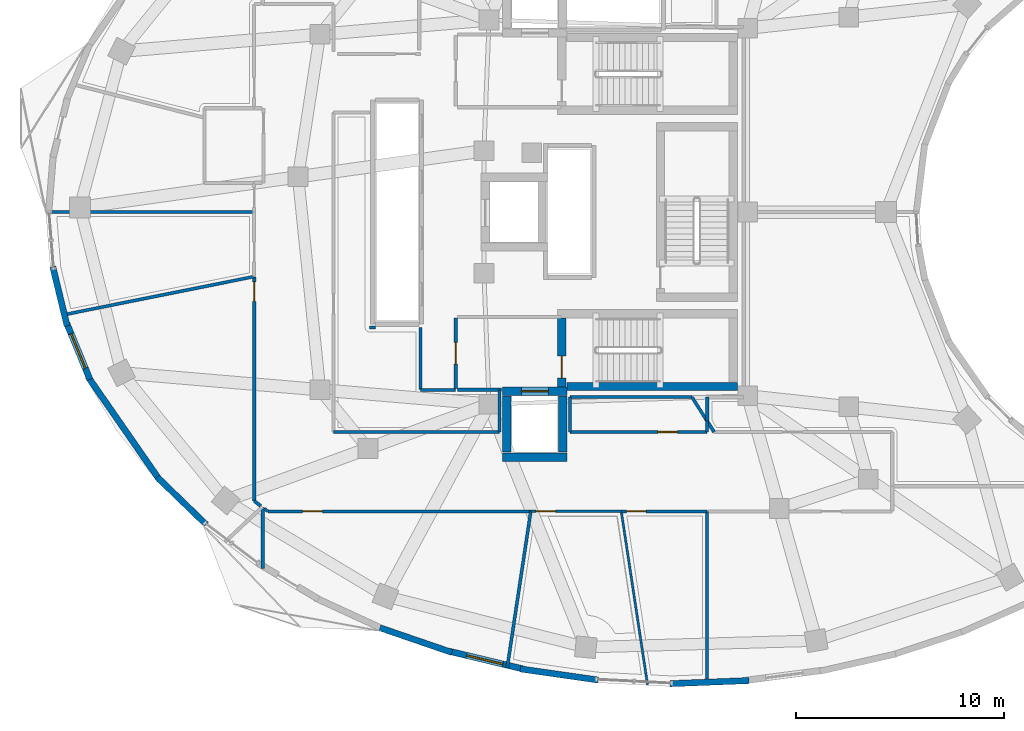
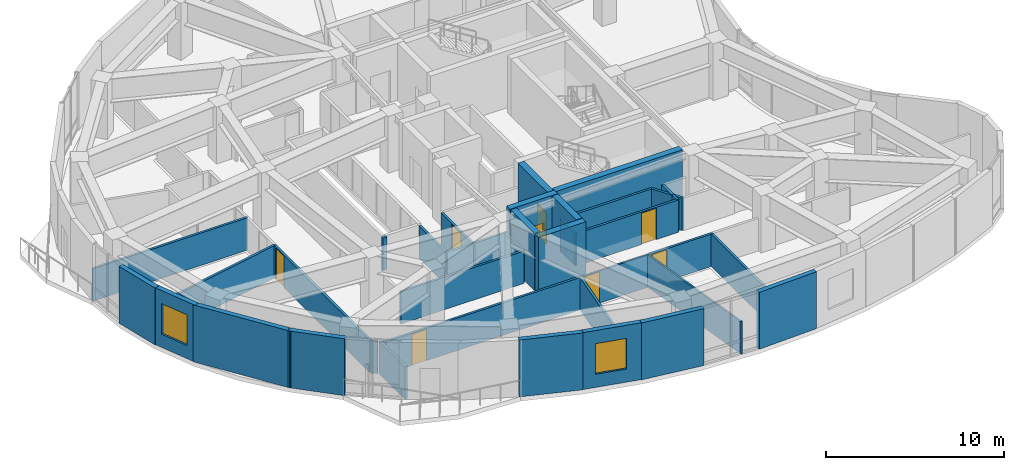
# One storey, part 8 of 14: 40 walls, 8 doors, 2 windows, 10 openings.
"""IFC4 building model written with IfcOpenShell, lengths in metres."""

import ifcopenshell
import ifcopenshell.guid

model = None  # the IFC model being written
_history = None  # IfcOwnerHistory: only IFC2X3 demands one
_inside = {}  # id of a spatial element -> (the spatial element, [elements in it])
_under = {}  # id of a project, library or spatial element -> (it, [spatial elements below it])
_declared = {}  # id of a project -> (the project, [libraries it declares])
_typed = {}  # id of a type object -> (the type object, [elements of that type])
_made_of = {}  # id of a material, layer set ... -> (it, [elements and type objects made of it])


def new_model(schema):
    """Start an empty IFC model of exactly this schema.

    Asked for "IFC4X3", IfcOpenShell would pick the latest addendum, in which some entities
    have other attributes; the version numbers below select the first issue.
    IFC2X3 requires an IfcOwnerHistory on every rooted entity: one is made here for all.
    """
    global model, _history
    if schema == "IFC4X3":
        model = ifcopenshell.file(schema_version=(4, 3, 0, 0))
    else:
        model = ifcopenshell.file(schema=schema)
    _inside.clear()
    _under.clear()
    _declared.clear()
    _typed.clear()
    _made_of.clear()
    _history = None
    if model.schema == "IFC2X3":
        org = make("IfcOrganization", Name="unknown")
        user = make(
            "IfcPersonAndOrganization",
            ThePerson=make("IfcPerson", FamilyName="unknown"),
            TheOrganization=org,
        )
        app = make(
            "IfcApplication",
            ApplicationDeveloper=org,
            Version="unknown",
            ApplicationFullName="unknown",
            ApplicationIdentifier="unknown",
        )
        _history = make(
            "IfcOwnerHistory",
            OwningUser=user,
            OwningApplication=app,
            ChangeAction="ADDED",
            CreationDate=0,
        )
    return model


def make(cls, **values):
    """One entity of the class cls with the attributes given. An attribute that is None is left unset."""
    return model.create_entity(
        cls, **{name: value for name, value in values.items() if value is not None}
    )


def rooted(cls, **values):
    """An entity with a GlobalId (a new one), such as an element, a storey or a relation."""
    return make(cls, GlobalId=ifcopenshell.guid.new(), OwnerHistory=_history, **values)


def si_unit(unit_type, name, prefix=None):
    """IfcSIUnit, for example si_unit("LENGTHUNIT", "METRE", prefix="MILLI")."""
    return make("IfcSIUnit", UnitType=unit_type, Prefix=prefix, Name=name)


def assignment(units):
    """IfcUnitAssignment: the units of a project."""
    return None if units is None else make("IfcUnitAssignment", Units=units)


def point(xyz):
    """IfcCartesianPoint."""
    return None if xyz is None else make("IfcCartesianPoint", Coordinates=xyz)


def direction(xyz):
    """IfcDirection."""
    return None if xyz is None else make("IfcDirection", DirectionRatios=xyz)


def frame(location, z_axis=None, x_axis=None):
    """IfcAxis2Placement3D, a coordinate frame: its origin and axes. An axis left out is left unset."""
    return make(
        "IfcAxis2Placement3D",
        Location=point(location),
        Axis=direction(z_axis),
        RefDirection=direction(x_axis),
    )


def frame_2d(location, x_axis=None):
    """IfcAxis2Placement2D, a coordinate frame in the plane: its origin and x axis."""
    return make(
        "IfcAxis2Placement2D", Location=point(location), RefDirection=direction(x_axis)
    )


def origin():
    """The frame at (0, 0, 0) with its axes left unset."""
    return frame((0.0, 0.0, 0.0))


def place(relative_to, where):
    """IfcLocalPlacement: puts the frame where relative to a parent placement (None: the world)."""
    return make(
        "IfcLocalPlacement", PlacementRelTo=relative_to, RelativePlacement=where
    )


def context(
    kind, dimensions, precision=None, world=None, true_north=None, identifier=None
):
    """IfcGeometricRepresentationContext, for example the 3D "Model" context."""
    return make(
        "IfcGeometricRepresentationContext",
        ContextIdentifier=identifier,
        ContextType=kind,
        CoordinateSpaceDimension=dimensions,
        Precision=precision,
        WorldCoordinateSystem=world,
        TrueNorth=true_north,
    )


def subcontext(parent, identifier, kind, view, scale=None):
    """IfcGeometricRepresentationSubContext, for example "Body" below "Model"."""
    return make(
        "IfcGeometricRepresentationSubContext",
        ContextIdentifier=identifier,
        ContextType=kind,
        ParentContext=parent,
        TargetScale=scale,
        TargetView=view,
    )


def project(units=None, contexts=None):
    """IfcProject with its units and contexts."""
    return rooted(
        "IfcProject",
        Name="project",
        RepresentationContexts=contexts,
        UnitsInContext=assignment(units),
    )


def spatial(cls, under=None, at=None, **own):
    """A site, building, storey or space (cls), placed at a placement, below another one or the project."""
    s = rooted(cls, ObjectPlacement=at, **own)
    if under is not None:
        _under.setdefault(under.id(), (under, []))[1].append(s)
    return s


def profile(cls, at=None, kind="AREA", **sizes):
    """A parametric profile (cls). Its sizes go by their IFC names, for example OverallWidth=200.0."""
    return make(cls, ProfileType=kind, Position=at, **sizes)


def rectangle(**sizes):
    """IfcRectangleProfileDef."""
    return profile("IfcRectangleProfileDef", **sizes)


def extrude(swept, where, along, depth):
    """IfcExtrudedAreaSolid: the profile swept, set in the frame where, extruded along a direction by depth."""
    return make(
        "IfcExtrudedAreaSolid",
        SweptArea=swept,
        Position=where,
        ExtrudedDirection=direction(along),
        Depth=depth,
    )


def shape(context_of_items, identifier, shape_type, items):
    """IfcShapeRepresentation: the items that make up one representation, for example the "Body"."""
    return make(
        "IfcShapeRepresentation",
        ContextOfItems=context_of_items,
        RepresentationIdentifier=identifier,
        RepresentationType=shape_type,
        Items=items,
    )


def material(Name=None, Category=None):
    """IfcMaterial."""
    return make("IfcMaterial", Name=Name, Category=Category)


def layer(
    of_material, thickness, ventilated=None, Name=None, Category=None, Priority=None
):
    """IfcMaterialLayer: one layer of a wall or slab, of a material (None: an air gap)."""
    return make(
        "IfcMaterialLayer",
        Material=of_material,
        LayerThickness=thickness,
        IsVentilated=ventilated,
        Name=Name,
        Category=Category,
        Priority=Priority,
    )


def layer_set(layers, Name=None):
    """IfcMaterialLayerSet."""
    return make("IfcMaterialLayerSet", MaterialLayers=layers, LayerSetName=Name)


def made_of(thing, what):
    """Note that an element or type object is made of a material, layer set ...; save() writes the relation."""
    if what is not None:
        _made_of.setdefault(what.id(), (what, []))[1].append(thing)
    return thing


def type_object(cls, material=None, **own):
    """A type object (cls), such as IfcWallType, which elements share."""
    return made_of(rooted(cls, **own), material)


def element(
    cls,
    number,
    at=None,
    inside=None,
    cuts=None,
    type_object=None,
    material=None,
    context=None,
    identifier="Body",
    shape_type=None,
    held_by="IfcProductDefinitionShape",
    body=None,
    shapes=None,
    **own,
):
    """One element of the class cls, such as IfcWall. Its Tag is "e" and its number.

    at: its placement. inside: the storey or other place that contains it. cuts: it is an
    opening in that element (IfcRelVoidsElement). A single representation is given by context,
    identifier, shape_type and body (its items); several are given by shapes. held_by: the class
    of the entity that holds the representations. save() writes the other relations.
    """
    e = rooted(cls, Tag="e%d" % number, ObjectPlacement=at, **own)
    if body is not None:
        shapes = [shape(context, identifier, shape_type, body)]
    if shapes is not None:
        e.Representation = make(held_by, Representations=shapes)
    if inside is not None:
        _inside.setdefault(inside.id(), (inside, []))[1].append(e)
    if cuts is not None:
        rooted(
            "IfcRelVoidsElement", RelatingBuildingElement=cuts, RelatedOpeningElement=e
        )
    if type_object is not None:
        _typed.setdefault(type_object.id(), (type_object, []))[1].append(e)
    return made_of(e, material)


def fill(opening, filler):
    """IfcRelFillsElement: the door or window that sits in an opening."""
    return rooted(
        "IfcRelFillsElement",
        RelatingOpeningElement=opening,
        RelatedBuildingElement=filler,
    )


def aggregate(whole, parts):
    """IfcRelAggregates: a whole, such as a stair, and the parts it consists of."""
    return rooted("IfcRelAggregates", RelatingObject=whole, RelatedObjects=parts)


def save(model, path):
    """Write the relations noted so far, then the file.

    IfcRelAggregates (storeys below a building ...), IfcRelContainedInSpatialStructure (elements
    in a storey), IfcRelDefinesByType, IfcRelAssociatesMaterial and IfcRelDeclares: one each for
    every whole, place, type object, material and project.
    """
    for whole, parts in _under.values():
        aggregate(whole, parts)
    for where, things in _inside.values():
        rooted(
            "IfcRelContainedInSpatialStructure",
            RelatedElements=things,
            RelatingStructure=where,
        )
    for kind, things in _typed.values():
        rooted("IfcRelDefinesByType", RelatedObjects=things, RelatingType=kind)
    for what, things in _made_of.values():
        rooted("IfcRelAssociatesMaterial", RelatedObjects=things, RelatingMaterial=what)
    for by, libraries in _declared.values():
        rooted("IfcRelDeclares", RelatingContext=by, RelatedDefinitions=libraries)
    model.write(path)


model = new_model("IFC4")

# Units and contexts
model_context = context("Model", 3, precision=1e-05, world=origin(), true_north=direction((0.0, 1.0)))
body_context = subcontext(model_context, "Body", "Model", "MODEL_VIEW")
ifc_project = project(units=[si_unit("LENGTHUNIT", "METRE"), si_unit("AREAUNIT", "SQUARE_METRE"), si_unit("VOLUMEUNIT", "CUBIC_METRE"), si_unit("PLANEANGLEUNIT", "RADIAN"), si_unit("MASSUNIT", "GRAM", prefix="KILO")], contexts=[model_context])

# Site, building, storey
site_placement = place(None, origin())
site = spatial("IfcSite", under=ifc_project, at=site_placement, CompositionType="ELEMENT")
building_placement = place(site_placement, origin())
building = spatial("IfcBuilding", under=site, at=building_placement, Name="Korentha Bioscience Tower", CompositionType="ELEMENT")
storey_placement = place(building_placement, frame((0.0, 0.0, 239.39990234375)))
storey = spatial("IfcBuildingStorey", under=building, at=storey_placement, Name="L55", CompositionType="ELEMENT", Elevation=239.39990234375)

# Wall, opening, door
ifc_material_1 = material(Name="Double-Stud Acoustic Gypsum", Category="gypsum")
ifc_layer_1 = layer(ifc_material_1, 0.14990234375, Name="Double-Stud Acoustic Gypsum")
ifc_layer_set_1 = layer_set([ifc_layer_1], Name="Double-Stud Acoustic Gypsum (IW-L150)")
wall_type_1 = type_object("IfcWallType", Name="Acoustic Laboratory Partition Wall 150", PredefinedType="PARTITIONING", material=ifc_layer_set_1)
wall_1_placement = place(storey_placement, frame((14.454345703125, 12.590087890625, 0.0), z_axis=(0.0, 0.0, 1.0), x_axis=(1.0, 0.0, 0.0)))
wall_1 = element("IfcWall", 1, at=wall_1_placement, inside=storey, type_object=wall_type_1, Name="L55 Principal Investigator Office 04 Entrance Wall", PredefinedType="PARTITIONING", context=body_context, shape_type="SweptSolid", body=[
    extrude(rectangle(XDim=12.65234375, YDim=0.14990234375, at=frame_2d((6.326171875, 0.0))), origin(), (0.0, 0.0, 1.0), 2.22021484375),
])
opening_1_placement = place(wall_1_placement, frame((1.67333984375, 0.0, 0.0)))
opening_1 = element("IfcOpeningElement", 2, at=opening_1_placement, cuts=wall_1, Name="Opening ID-10L", PredefinedType="OPENING", context=body_context, shape_type="SweptSolid", body=[
    extrude(rectangle(XDim=0.949951171875, YDim=2.14990234375, at=frame_2d((0.47509765625, 1.074951171875))), frame((0.0, 0.08984375, 0.0), z_axis=(0.0, -1.0, 0.0), x_axis=(1.0, 0.0, 0.0)), (0.0, 0.0, 1.0), 0.1796875),
])
ifc_material_2 = material(Name="Phenolic Laminate Timber Core", Category="wood")
door_type_1 = type_object("IfcDoorType", Name="Laboratory Single Leaf Door 950x2150 Left", OperationType="SINGLE_SWING_LEFT", PredefinedType="DOOR", material=ifc_material_2)
door_1_placement = place(opening_1_placement, origin())
door_1 = element("IfcDoor", 3, at=door_1_placement, inside=storey, type_object=door_type_1, Name="L55 Principal Investigator Office 04 Door", OperationType="SINGLE_SWING_LEFT", OverallHeight=2.14990234375, OverallWidth=0.949951171875, PredefinedType="DOOR", context=body_context, shape_type="SweptSolid", body=[
    extrude(rectangle(XDim=0.949951171875, YDim=2.14990234375, at=frame_2d((0.47509765625, 1.074951171875))), frame((0.0, 0.02490234375, 0.0), z_axis=(0.0, -1.0, 0.0), x_axis=(1.0, 0.0, 0.0)), (0.0, 0.0, 1.0), 0.050048828125),
])
fill(opening_1, door_1)

wall_2_placement = place(storey_placement, frame((35.597900390625, 16.409912109375, 0.0), z_axis=(0.0, 0.0, 1.0), x_axis=(-1.0, 0.0, 0.0)))
wall_2 = element("IfcWall", 4, at=wall_2_placement, inside=storey, type_object=wall_type_1, Name="L55 Scientific Writing Quiet Alcove 06 Entrance Wall", PredefinedType="PARTITIONING", context=body_context, shape_type="SweptSolid", body=[
    extrude(rectangle(XDim=6.597900390625, YDim=0.14990234375, at=frame_2d((3.298828125, 0.0))), origin(), (0.0, 0.0, 1.0), 2.22021484375),
])
opening_2_placement = place(wall_2_placement, frame((1.4267578125, 0.0, 0.0)))
opening_2 = element("IfcOpeningElement", 5, at=opening_2_placement, cuts=wall_2, Name="Opening ID-10L", PredefinedType="OPENING", context=body_context, shape_type="SweptSolid", body=[
    extrude(rectangle(XDim=0.949951171875, YDim=2.14990234375, at=frame_2d((0.47509765625, 1.074951171875))), frame((0.0, 0.08984375, 0.0), z_axis=(0.0, -1.0, 0.0), x_axis=(1.0, 0.0, 0.0)), (0.0, 0.0, 1.0), 0.1796875),
])
door_2_placement = place(opening_2_placement, origin())
door_2 = element("IfcDoor", 6, at=door_2_placement, inside=storey, type_object=door_type_1, Name="L55 Scientific Writing Quiet Alcove 06 Door", OperationType="SINGLE_SWING_LEFT", OverallHeight=2.14990234375, OverallWidth=0.949951171875, PredefinedType="DOOR", context=body_context, shape_type="SweptSolid", body=[
    extrude(rectangle(XDim=0.949951171875, YDim=2.14990234375, at=frame_2d((0.47509765625, 1.074951171875))), frame((0.0, 0.02490234375, 0.0), z_axis=(0.0, -1.0, 0.0), x_axis=(1.0, 0.0, 0.0)), (0.0, 0.0, 1.0), 0.050048828125),
])
fill(opening_2, door_2)

wall_3_placement = place(storey_placement, frame((31.473388671875, 12.590087890625, 0.0), z_axis=(0.0, 0.0, 1.0), x_axis=(1.0, 0.0, 0.0)))
wall_3 = element("IfcWall", 7, at=wall_3_placement, inside=storey, type_object=wall_type_1, Name="L55 Bioinformatics Data Collaboration Hub 07 Entrance Wall", PredefinedType="PARTITIONING", context=body_context, shape_type="SweptSolid", body=[
    extrude(rectangle(XDim=4.12451171875, YDim=0.14990234375, at=frame_2d((2.062255859375, 0.0))), origin(), (0.0, 0.0, 1.0), 2.22021484375),
])
opening_3_placement = place(wall_3_placement, frame((0.239990234375, 0.0, 0.0)))
opening_3 = element("IfcOpeningElement", 8, at=opening_3_placement, cuts=wall_3, Name="Opening ID-10R", PredefinedType="OPENING", context=body_context, shape_type="SweptSolid", body=[
    extrude(rectangle(XDim=0.949951171875, YDim=2.14990234375, at=frame_2d((0.47509765625, 1.074951171875))), frame((0.0, 0.08984375, 0.0), z_axis=(0.0, -1.0, 0.0), x_axis=(1.0, 0.0, 0.0)), (0.0, 0.0, 1.0), 0.1796875),
])
door_type_2 = type_object("IfcDoorType", Name="Laboratory Single Leaf Door 950x2150 Right", OperationType="SINGLE_SWING_RIGHT", PredefinedType="DOOR", material=ifc_material_2)
door_3_placement = place(opening_3_placement, origin())
door_3 = element("IfcDoor", 9, at=door_3_placement, inside=storey, type_object=door_type_2, Name="L55 Bioinformatics Data Collaboration Hub 07 Door", OperationType="SINGLE_SWING_RIGHT", OverallHeight=2.14990234375, OverallWidth=0.949951171875, PredefinedType="DOOR", context=body_context, shape_type="SweptSolid", body=[
    extrude(rectangle(XDim=0.949951171875, YDim=2.14990234375, at=frame_2d((0.47509765625, 1.074951171875))), frame((0.0, 0.02490234375, 0.0), z_axis=(0.0, -1.0, 0.0), x_axis=(1.0, 0.0, 0.0)), (0.0, 0.0, 1.0), 0.050048828125),
])
fill(opening_3, door_3)

# Walls
wall_4_placement = place(storey_placement, frame((3.778076171875, 26.998046875, 0.0), z_axis=(0.0, 0.0, 1.0), x_axis=(1.0, 0.0, 0.0)))
element("IfcWall", 10, at=wall_4_placement, inside=storey, type_object=wall_type_1, Name="L55 Interior Partition 024", PredefinedType="PARTITIONING", context=body_context, shape_type="SweptSolid", body=[
    extrude(rectangle(XDim=10.011962890625, YDim=0.14990234375, at=frame_2d((5.005859375, 0.0))), origin(), (0.0, 0.0, 1.0), 2.22021484375),
])
wall_5_placement = place(storey_placement, frame((13.7900390625, 23.893798828125, 0.0), z_axis=(0.0, 0.0, 1.0), x_axis=(-0.980456122103, -0.196737877977, 0.0)))
element("IfcWall", 11, at=wall_5_placement, inside=storey, type_object=wall_type_1, Name="L55 Interior Partition 025", PredefinedType="PARTITIONING", context=body_context, shape_type="SweptSolid", body=[
    extrude(rectangle(XDim=9.438720703125, YDim=0.14990234375, at=frame_2d((4.71923828125, 0.0))), origin(), (0.0, 0.0, 1.0), 2.22021484375),
])
wall_6_placement = place(storey_placement, frame((19.35009765625, 21.43994140625, 0.0), z_axis=(0.0, 0.0, 1.0), x_axis=(1.0, 0.0, 0.0)))
element("IfcWall", 12, at=wall_6_placement, inside=storey, type_object=wall_type_1, Name="L55 Interior Partition 028", PredefinedType="PARTITIONING", context=body_context, shape_type="SweptSolid", body=[
    extrude(rectangle(XDim=0.27001953125, YDim=0.14990234375, at=frame_2d((0.135009765625, 0.0))), origin(), (0.0, 0.0, 1.0), 2.22021484375),
])
wall_7_placement = place(storey_placement, frame((21.7900390625, 21.43994140625, 0.0), z_axis=(0.0, 0.0, 1.0), x_axis=(0.0, -1.0, 0.0)))
element("IfcWall", 13, at=wall_7_placement, inside=storey, type_object=wall_type_1, Name="L55 Interior Partition 029", PredefinedType="PARTITIONING", context=body_context, shape_type="SweptSolid", body=[
    extrude(rectangle(XDim=2.989990234375, YDim=0.14990234375, at=frame_2d((1.4951171875, 0.0))), origin(), (0.0, 0.0, 1.0), 2.22021484375),
])
wall_8_placement = place(storey_placement, frame((21.800048828125, 18.43994140625, 0.0), z_axis=(0.0, 0.0, 1.0), x_axis=(1.0, 0.0, 0.0)))
element("IfcWall", 14, at=wall_8_placement, inside=storey, type_object=wall_type_1, Name="L55 Interior Partition 030", PredefinedType="PARTITIONING", context=body_context, shape_type="SweptSolid", body=[
    extrude(rectangle(XDim=1.68994140625, YDim=0.14990234375, at=frame_2d((0.844970703125, 0.0))), origin(), (0.0, 0.0, 1.0), 2.22021484375),
])
wall_9_placement = place(storey_placement, frame((25.60009765625, 18.435791015625, 0.0), z_axis=(0.0, 0.0, 1.0), x_axis=(0.0, -1.0, 0.0)))
element("IfcWall", 15, at=wall_9_placement, inside=storey, type_object=wall_type_1, Name="L55 Interior Partition 031", PredefinedType="PARTITIONING", context=body_context, shape_type="SweptSolid", body=[
    extrude(rectangle(XDim=2.02587890625, YDim=0.14990234375, at=frame_2d((1.012939453125, 0.0))), origin(), (0.0, 0.0, 1.0), 2.22021484375),
])
wall_10_placement = place(storey_placement, frame((25.60009765625, 16.409912109375, 0.0), z_axis=(0.0, 0.0, 1.0), x_axis=(-1.0, 0.0, 0.0)))
element("IfcWall", 16, at=wall_10_placement, inside=storey, type_object=wall_type_1, Name="L55 Interior Partition 032", PredefinedType="PARTITIONING", context=body_context, shape_type="SweptSolid", body=[
    extrude(rectangle(XDim=7.989990234375, YDim=0.14990234375, at=frame_2d((3.9951171875, 0.0))), origin(), (0.0, 0.0, 1.0), 2.22021484375),
])
wall_11_placement = place(storey_placement, frame((14.201904296875, 9.847412109375, 0.0), z_axis=(0.0, 0.0, 1.0), x_axis=(0.0, 1.0, 0.0)))
element("IfcWall", 17, at=wall_11_placement, inside=storey, type_object=wall_type_1, Name="L55 Interior Partition 034", PredefinedType="PARTITIONING", context=body_context, shape_type="SweptSolid", body=[
    extrude(rectangle(XDim=2.931396484375, YDim=0.14990234375, at=frame_2d((1.4658203125, 0.0))), origin(), (0.0, 0.0, 1.0), 2.22021484375),
])
wall_12_placement = place(storey_placement, frame((14.280029296875, 12.7197265625, 0.0), z_axis=(0.0, 0.0, 1.0), x_axis=(0.796940505815, -0.604057803683, 0.0)))
element("IfcWall", 18, at=wall_12_placement, inside=storey, type_object=wall_type_1, Name="L55 Interior Partition 035", PredefinedType="PARTITIONING", context=body_context, shape_type="SweptSolid", body=[
    extrude(rectangle(XDim=0.21142578125, YDim=0.14990234375, at=frame_2d((0.105712890625, 0.0))), origin(), (0.0, 0.0, 1.0), 2.22021484375),
])
wall_13_placement = place(storey_placement, frame((27.106689453125, 12.590087890625, 0.0), z_axis=(0.0, 0.0, 1.0), x_axis=(-0.149013085528, -0.98883522406, 0.0)))
element("IfcWall", 19, at=wall_13_placement, inside=storey, type_object=wall_type_1, Name="L55 Interior Partition 036", PredefinedType="PARTITIONING", context=body_context, shape_type="SweptSolid", body=[
    extrude(rectangle(XDim=7.631591796875, YDim=0.14990234375, at=frame_2d((3.81591796875, 0.0))), origin(), (0.0, 0.0, 1.0), 2.22021484375),
])
wall_14_placement = place(storey_placement, frame((29.0, 18.090087890625, 0.0), z_axis=(0.0, 0.0, 1.0), x_axis=(1.0, 0.0, 0.0)))
element("IfcWall", 20, at=wall_14_placement, inside=storey, type_object=wall_type_1, Name="L55 Interior Partition 038", PredefinedType="PARTITIONING", context=body_context, shape_type="SweptSolid", body=[
    extrude(rectangle(XDim=5.870361328125, YDim=0.14990234375, at=frame_2d((2.93505859375, 0.0))), origin(), (0.0, 0.0, 1.0), 2.22021484375),
])
wall_15_placement = place(storey_placement, frame((34.870361328125, 18.090087890625, 0.0), z_axis=(0.0, 0.0, 1.0), x_axis=(0.531521183291, -0.847044999816, 0.0)))
element("IfcWall", 21, at=wall_15_placement, inside=storey, type_object=wall_type_1, Name="L55 Interior Partition 039", PredefinedType="PARTITIONING", context=body_context, shape_type="SweptSolid", body=[
    extrude(rectangle(XDim=1.368896484375, YDim=0.14990234375, at=frame_2d((0.6845703125, 0.0))), origin(), (0.0, 0.0, 1.0), 2.22021484375),
])
wall_16_placement = place(storey_placement, frame((35.597900390625, 16.9306640625, 0.0), z_axis=(0.0, 0.0, 1.0), x_axis=(0.0, -1.0, 0.0)))
element("IfcWall", 22, at=wall_16_placement, inside=storey, type_object=wall_type_1, Name="L55 Interior Partition 040", PredefinedType="PARTITIONING", context=body_context, shape_type="SweptSolid", body=[
    extrude(rectangle(XDim=0.520751953125, YDim=0.14990234375, at=frame_2d((0.26025390625, 0.0))), origin(), (0.0, 0.0, 1.0), 2.22021484375),
])
wall_17_placement = place(storey_placement, frame((29.0, 16.409912109375, 0.0), z_axis=(0.0, 0.0, 1.0), x_axis=(0.0, 1.0, 0.0)))
element("IfcWall", 23, at=wall_17_placement, inside=storey, type_object=wall_type_1, Name="L55 Interior Partition 041", PredefinedType="PARTITIONING", context=body_context, shape_type="SweptSolid", body=[
    extrude(rectangle(XDim=1.68017578125, YDim=0.14990234375, at=frame_2d((0.840087890625, 0.0))), origin(), (0.0, 0.0, 1.0), 2.22021484375),
])
wall_18_placement = place(storey_placement, frame((35.597900390625, 12.590087890625, 0.0), z_axis=(0.0, 0.0, 1.0), x_axis=(0.0, -1.0, 0.0)))
element("IfcWall", 24, at=wall_18_placement, inside=storey, type_object=wall_type_1, Name="L55 Interior Partition 042", PredefinedType="PARTITIONING", context=body_context, shape_type="SweptSolid", body=[
    extrude(rectangle(XDim=8.3466796875, YDim=0.14990234375, at=frame_2d((4.17333984375, 0.0))), origin(), (0.0, 0.0, 1.0), 2.22021484375),
])

# Wall, opening, door
ifc_material_3 = material(Name="Fire-Rated Framed Glass", Category="glass")
ifc_layer_2 = layer(ifc_material_3, 0.110107421875, Name="Fire-Rated Framed Glass")
ifc_layer_set_2 = layer_set([ifc_layer_2], Name="Fire-Rated Framed Glass (IW-G110)")
wall_type_2 = type_object("IfcWallType", Name="Demountable Glazed Office Partition 110", PredefinedType="MOVABLE", material=ifc_layer_set_2)
wall_19_placement = place(storey_placement, frame((27.11669921875, 12.590087890625, 0.0), z_axis=(0.0, 0.0, 1.0), x_axis=(1.0, 0.0, 0.0)))
wall_19 = element("IfcWall", 25, at=wall_19_placement, inside=storey, type_object=wall_type_2, Name="L55 Clinical Trials Data Office 05 Entrance Wall", PredefinedType="MOVABLE", context=body_context, shape_type="SweptSolid", body=[
    extrude(rectangle(XDim=4.3466796875, YDim=0.110107421875, at=frame_2d((2.17333984375, 0.0))), origin(), (0.0, 0.0, 1.0), 2.22021484375),
])
opening_4_placement = place(wall_19_placement, frame((0.239990234375, 0.0, 0.0)))
opening_4 = element("IfcOpeningElement", 26, at=opening_4_placement, cuts=wall_19, Name="Opening ID-10R", PredefinedType="OPENING", context=body_context, shape_type="SweptSolid", body=[
    extrude(rectangle(XDim=0.949951171875, YDim=2.14990234375, at=frame_2d((0.47509765625, 1.074951171875))), frame((0.0, 0.06982421875, 0.0), z_axis=(0.0, -1.0, 0.0), x_axis=(1.0, 0.0, 0.0)), (0.0, 0.0, 1.0), 0.139892578125),
])
door_4_placement = place(opening_4_placement, origin())
door_4 = element("IfcDoor", 27, at=door_4_placement, inside=storey, type_object=door_type_2, Name="L55 Clinical Trials Data Office 05 Door", OperationType="SINGLE_SWING_RIGHT", OverallHeight=2.14990234375, OverallWidth=0.949951171875, PredefinedType="DOOR", context=body_context, shape_type="SweptSolid", body=[
    extrude(rectangle(XDim=0.949951171875, YDim=2.14990234375, at=frame_2d((0.47509765625, 1.074951171875))), frame((0.0, 0.02490234375, 0.0), z_axis=(0.0, -1.0, 0.0), x_axis=(1.0, 0.0, 0.0)), (0.0, 0.0, 1.0), 0.050048828125),
])
fill(opening_4, door_4)

# Wall
wall_20_placement = place(storey_placement, frame((31.46337890625, 12.590087890625, 0.0), z_axis=(0.0, 0.0, 1.0), x_axis=(0.149927844007, -0.988696941227, 0.0)))
element("IfcWall", 28, at=wall_20_placement, inside=storey, type_object=wall_type_2, Name="L55 Interior Partition 037", PredefinedType="MOVABLE", context=body_context, shape_type="SweptSolid", body=[
    extrude(rectangle(XDim=8.44482421875, YDim=0.110107421875, at=frame_2d((4.222412109375, 0.0))), origin(), (0.0, 0.0, 1.0), 2.22021484375),
])

# Wall, opening, door
ifc_material_4 = material(Name="Gypsum-Clad Steel Stud", Category="steel")
ifc_layer_3 = layer(ifc_material_4, 0.159912109375, Name="Gypsum-Clad Steel Stud")
ifc_layer_set_3 = layer_set([ifc_layer_3], Name="Gypsum-Clad Steel Stud (IW-C160)")
wall_type_3 = type_object("IfcWallType", Name="Fire-Rated Corridor Partition Wall 160", PredefinedType="PARTITIONING", material=ifc_layer_set_3)
wall_21_placement = place(storey_placement, frame((23.5, 18.5, 0.0), z_axis=(0.0, 0.0, 1.0), x_axis=(0.0, 1.0, 0.0)))
wall_21 = element("IfcWall", 29, at=wall_21_placement, inside=storey, type_object=wall_type_3, Name="L55 FFLS-CW Rated Enclosure Wall", PredefinedType="PARTITIONING", context=body_context, shape_type="SweptSolid", body=[
    extrude(rectangle(XDim=3.39990234375, YDim=0.159912109375, at=frame_2d((1.699951171875, 0.0))), origin(), (0.0, 0.0, 1.0), 2.22021484375),
])
opening_5_placement = place(wall_21_placement, frame((1.175048828125, 0.0, 0.0)))
opening_5 = element("IfcOpeningElement", 30, at=opening_5_placement, cuts=wall_21, Name="Opening FD-90R", PredefinedType="OPENING", context=body_context, shape_type="SweptSolid", body=[
    extrude(rectangle(XDim=1.050048828125, YDim=2.14990234375, at=frame_2d((0.52490234375, 1.074951171875))), frame((0.0, 0.0947265625, 0.0), z_axis=(0.0, -1.0, 0.0), x_axis=(1.0, 0.0, 0.0)), (0.0, 0.0, 1.0), 0.189697265625),
])
ifc_material_5 = material(Name="Powder-Coated Fire-Rated Steel", Category="steel")
door_type_3 = type_object("IfcDoorType", Name="Stairwell Fire Exit Door 1050x2150 Right", OperationType="SINGLE_SWING_RIGHT", PredefinedType="DOOR", material=ifc_material_5)
door_5_placement = place(opening_5_placement, origin())
door_5 = element("IfcDoor", 31, at=door_5_placement, inside=storey, type_object=door_type_3, Name="L55 South Firefighting Lobby Door", OperationType="SINGLE_SWING_RIGHT", OverallHeight=2.14990234375, OverallWidth=1.050048828125, PredefinedType="DOOR", context=body_context, shape_type="SweptSolid", body=[
    extrude(rectangle(XDim=1.050048828125, YDim=2.14990234375, at=frame_2d((0.52490234375, 1.074951171875))), frame((0.0, 0.02490234375, 0.0), z_axis=(0.0, -1.0, 0.0), x_axis=(1.0, 0.0, 0.0)), (0.0, 0.0, 1.0), 0.050048828125),
])
fill(opening_5, door_5)

# Wall
wall_22_placement = place(storey_placement, frame((23.580078125, 18.449951171875, 0.0), z_axis=(0.0, 0.0, 1.0), x_axis=(1.0, 0.0, 0.0)))
element("IfcWall", 32, at=wall_22_placement, inside=storey, type_object=wall_type_3, Name="L55 Firefighting Lobby Return Wall FFLS-S", PredefinedType="PARTITIONING", context=body_context, shape_type="SweptSolid", body=[
    extrude(rectangle(XDim=2.119873046875, YDim=0.159912109375, at=frame_2d((1.06005859375, 0.0))), origin(), (0.0, 0.0, 1.0), 2.22021484375),
])

# Wall, opening, door
wall_23_placement = place(storey_placement, frame((13.7900390625, 23.883544921875, 0.0), z_axis=(0.0, 0.0, 1.0), x_axis=(0.0, -1.0, 0.0)))
wall_23 = element("IfcWall", 33, at=wall_23_placement, inside=storey, type_object=wall_type_3, Name="L55 Biospecimen Archive Store 02 Entrance Wall", PredefinedType="PARTITIONING", context=body_context, shape_type="SweptSolid", body=[
    extrude(rectangle(XDim=10.787353515625, YDim=0.159912109375, at=frame_2d((5.3935546875, 0.0))), origin(), (0.0, 0.0, 1.0), 2.22021484375),
])
opening_6_placement = place(wall_23_placement, frame((0.239990234375, 0.0, 0.0)))
opening_6 = element("IfcOpeningElement", 34, at=opening_6_placement, cuts=wall_23, Name="Opening ID-10L", PredefinedType="OPENING", context=body_context, shape_type="SweptSolid", body=[
    extrude(rectangle(XDim=0.949951171875, YDim=2.14990234375, at=frame_2d((0.47509765625, 1.074951171875))), frame((0.0, 0.0947265625, 0.0), z_axis=(0.0, -1.0, 0.0), x_axis=(1.0, 0.0, 0.0)), (0.0, 0.0, 1.0), 0.189697265625),
])
door_6_placement = place(opening_6_placement, origin())
door_6 = element("IfcDoor", 35, at=door_6_placement, inside=storey, type_object=door_type_1, Name="L55 Biospecimen Archive Store 02 Door", OperationType="SINGLE_SWING_LEFT", OverallHeight=2.14990234375, OverallWidth=0.949951171875, PredefinedType="DOOR", context=body_context, shape_type="SweptSolid", body=[
    extrude(rectangle(XDim=0.949951171875, YDim=2.14990234375, at=frame_2d((0.47509765625, 1.074951171875))), frame((0.0, 0.02490234375, 0.0), z_axis=(0.0, -1.0, 0.0), x_axis=(1.0, 0.0, 0.0)), (0.0, 0.0, 1.0), 0.050048828125),
])
fill(opening_6, door_6)

# Walls
wall_24_placement = place(storey_placement, frame((13.7939453125, 13.088134765625, 0.0), z_axis=(0.0, 0.0, 1.0), x_axis=(0.797092148154, -0.603857687995, 0.0)))
element("IfcWall", 36, at=wall_24_placement, inside=storey, type_object=wall_type_3, Name="L55 Interior Partition 026", PredefinedType="PARTITIONING", context=body_context, shape_type="SweptSolid", body=[
    extrude(rectangle(XDim=0.394287109375, YDim=0.159912109375, at=frame_2d((0.197265625, 0.0))), origin(), (0.0, 0.0, 1.0), 2.22021484375),
])
wall_25_placement = place(storey_placement, frame((35.929443359375, 16.409912109375, 0.0), z_axis=(0.0, 0.0, 1.0), x_axis=(-0.531667126554, 0.846953402816, 0.0)))
element("IfcWall", 37, at=wall_25_placement, inside=storey, type_object=wall_type_3, Name="L55 Interior Partition 049", PredefinedType="PARTITIONING", context=body_context, shape_type="SweptSolid", body=[
    extrude(rectangle(XDim=0.604736328125, YDim=0.159912109375, at=frame_2d((0.30224609375, 0.0))), origin(), (0.0, 0.0, 1.0), 2.22021484375),
])
wall_26_placement = place(storey_placement, frame((35.60205078125, 16.943115234375, 0.0), z_axis=(0.0, 0.0, 1.0), x_axis=(0.0, 1.0, 0.0)))
element("IfcWall", 38, at=wall_26_placement, inside=storey, type_object=wall_type_3, Name="L55 Interior Partition 050", PredefinedType="PARTITIONING", context=body_context, shape_type="SweptSolid", body=[
    extrude(rectangle(XDim=1.14697265625, YDim=0.159912109375, at=frame_2d((0.573486328125, 0.0))), origin(), (0.0, 0.0, 1.0), 2.22021484375),
])

# Wall, opening, window
ifc_material_6 = material(Name="Honed Limestone Precast Concrete C40", Category="masonry")
ifc_layer_4 = layer(ifc_material_6, 0.300048828125, Name="Honed Limestone Precast Concrete C40")
ifc_layer_set_4 = layer_set([ifc_layer_4], Name="Honed Limestone Precast Concrete C40 (EW-ST300)")
wall_type_4 = type_object("IfcWallType", Name="Honed Limestone Cavity Spandrel Wall 300", PredefinedType="STANDARD", material=ifc_layer_set_4)
wall_27_placement = place(storey_placement, frame((4.755859375, 21.67578125, 0.0), z_axis=(0.0, 0.0, 1.0), x_axis=(0.381011504275, -0.924570296738, 0.0)))
wall_27 = element("IfcWall", 39, at=wall_27_placement, inside=storey, type_object=wall_type_4, Name="L55 Honed Limestone Spandrel Wall 21", PredefinedType="STANDARD", context=body_context, shape_type="SweptSolid", body=[
    extrude(rectangle(XDim=2.955810546875, YDim=0.300048828125, at=frame_2d((1.47802734375, 0.0))), origin(), (0.0, 0.0, 1.0), 3.900146484375),
])
opening_7_placement = place(wall_27_placement, frame((0.577880859375, 0.0, 0.89990234375)))
opening_7 = element("IfcOpeningElement", 40, at=opening_7_placement, cuts=wall_27, Name="Opening WN-01", PredefinedType="OPENING", context=body_context, shape_type="SweptSolid", body=[
    extrude(rectangle(XDim=1.800048828125, YDim=2.10009765625, at=frame_2d((0.89990234375, 1.050048828125))), frame((0.0, 0.1650390625, 0.0), z_axis=(0.0, -1.0, 0.0), x_axis=(1.0, 0.0, 0.0)), (0.0, 0.0, 1.0), 0.329833984375),
])
ifc_material_7 = material(Name="Thermally Broken Aluminium Triple Glazing", Category="aluminium")
window_type = type_object("IfcWindowType", Name="Triple-Glazed Fixed Bioscience Window 1800x2100", PartitioningType="SINGLE_PANEL", PredefinedType="WINDOW", material=ifc_material_7)
window_1_placement = place(opening_7_placement, origin())
window_1 = element("IfcWindow", 41, at=window_1_placement, inside=storey, type_object=window_type, Name="L55 Facade Window 21", OverallHeight=2.10009765625, OverallWidth=1.800048828125, PartitioningType="SINGLE_PANEL", PredefinedType="WINDOW", context=body_context, shape_type="SweptSolid", body=[
    extrude(rectangle(XDim=1.800048828125, YDim=2.10009765625, at=frame_2d((0.89990234375, 1.050048828125))), frame((0.0, 0.030029296875, 0.0), z_axis=(0.0, -1.0, 0.0), x_axis=(1.0, 0.0, 0.0)), (0.0, 0.0, 1.0), 0.06005859375),
])
fill(opening_7, window_1)

wall_28_placement = place(storey_placement, frame((23.166748046875, 5.858154296875, 0.0), z_axis=(0.0, 0.0, 1.0), x_axis=(0.972474188183, -0.233010629193, 0.0)))
wall_28 = element("IfcWall", 42, at=wall_28_placement, inside=storey, type_object=wall_type_4, Name="L55 Honed Limestone Spandrel Wall 29", PredefinedType="STANDARD", context=body_context, shape_type="SweptSolid", body=[
    extrude(rectangle(XDim=3.695556640625, YDim=0.300048828125, at=frame_2d((1.84765625, 0.0))), origin(), (0.0, 0.0, 1.0), 3.900146484375),
])
opening_8_placement = place(wall_28_placement, frame((0.8779296875, 0.0, 0.89990234375)))
opening_8 = element("IfcOpeningElement", 43, at=opening_8_placement, cuts=wall_28, Name="Opening WN-01", PredefinedType="OPENING", context=body_context, shape_type="SweptSolid", body=[
    extrude(rectangle(XDim=1.800048828125, YDim=2.10009765625, at=frame_2d((0.89990234375, 1.050048828125))), frame((0.0, 0.1650390625, 0.0), z_axis=(0.0, -1.0, 0.0), x_axis=(1.0, 0.0, 0.0)), (0.0, 0.0, 1.0), 0.329833984375),
])
window_2_placement = place(opening_8_placement, origin())
window_2 = element("IfcWindow", 44, at=window_2_placement, inside=storey, type_object=window_type, Name="L55 Facade Window 29", OverallHeight=2.10009765625, OverallWidth=1.800048828125, PartitioningType="SINGLE_PANEL", PredefinedType="WINDOW", context=body_context, shape_type="SweptSolid", body=[
    extrude(rectangle(XDim=1.800048828125, YDim=2.10009765625, at=frame_2d((0.89990234375, 1.050048828125))), frame((0.0, 0.030029296875, 0.0), z_axis=(0.0, -1.0, 0.0), x_axis=(1.0, 0.0, 0.0)), (0.0, 0.0, 1.0), 0.06005859375),
])
fill(opening_8, window_2)

# Walls
wall_29_placement = place(storey_placement, frame((4.093505859375, 24.37060546875, 0.0), z_axis=(0.0, 0.0, 1.0), x_axis=(0.235531068122, -0.971866820068, 0.0)))
element("IfcWall", 45, at=wall_29_placement, inside=storey, type_object=wall_type_4, Name="L55 Limestone Perimeter Closure Wall 20", PredefinedType="STANDARD", context=body_context, shape_type="SweptSolid", body=[
    extrude(rectangle(XDim=2.938720703125, YDim=0.300048828125, at=frame_2d((1.46923828125, 0.0))), origin(), (0.0, 0.0, 1.0), 3.900146484375),
])
wall_30_placement = place(storey_placement, frame((5.78076171875, 19.0830078125, 0.0), z_axis=(0.0, 0.0, 1.0), x_axis=(0.569941426855, -0.821685322952, 0.0)))
element("IfcWall", 46, at=wall_30_placement, inside=storey, type_object=wall_type_4, Name="L55 Limestone Perimeter Closure Wall 22", PredefinedType="STANDARD", context=body_context, shape_type="SweptSolid", body=[
    extrude(rectangle(XDim=6.07275390625, YDim=0.300048828125, at=frame_2d((3.036376953125, 0.0))), origin(), (0.0, 0.0, 1.0), 3.900146484375),
])
wall_31_placement = place(storey_placement, frame((9.12109375, 14.235107421875, 0.0), z_axis=(0.0, 0.0, 1.0), x_axis=(0.718999544538, -0.695010543052, 0.0)))
element("IfcWall", 47, at=wall_31_placement, inside=storey, type_object=wall_type_4, Name="L55 Limestone Perimeter Closure Wall 24", PredefinedType="STANDARD", context=body_context, shape_type="SweptSolid", body=[
    extrude(rectangle(XDim=3.277099609375, YDim=0.300048828125, at=frame_2d((1.638671875, 0.0))), origin(), (0.0, 0.0, 1.0), 3.900146484375),
])
wall_32_placement = place(storey_placement, frame((19.83837890625, 6.987548828125, 0.0), z_axis=(0.0, 0.0, 1.0), x_axis=(0.945722383555, -0.32497565023, 0.0)))
element("IfcWall", 48, at=wall_32_placement, inside=storey, type_object=wall_type_4, Name="L55 Limestone Perimeter Closure Wall 28", PredefinedType="STANDARD", context=body_context, shape_type="SweptSolid", body=[
    extrude(rectangle(XDim=3.669921875, YDim=0.300048828125, at=frame_2d((1.8349609375, 0.0))), origin(), (0.0, 0.0, 1.0), 3.900146484375),
])
wall_33_placement = place(storey_placement, frame((26.60546875, 5.00537109375, 0.0), z_axis=(0.0, 0.0, 1.0), x_axis=(0.989897776303, -0.141782906128, 0.0)))
element("IfcWall", 49, at=wall_33_placement, inside=storey, type_object=wall_type_4, Name="L55 Limestone Perimeter Closure Wall 30", PredefinedType="STANDARD", context=body_context, shape_type="SweptSolid", body=[
    extrude(rectangle(XDim=3.78125, YDim=0.300048828125, at=frame_2d((1.890625, 0.0))), origin(), (0.0, 0.0, 1.0), 3.900146484375),
])
wall_34_placement = place(storey_placement, frame((33.804931640625, 4.29248046875, 0.0), z_axis=(0.0, 0.0, 1.0), x_axis=(0.999221923177, 0.039440439173, 0.0)))
element("IfcWall", 50, at=wall_34_placement, inside=storey, type_object=wall_type_4, Name="L55 Limestone Perimeter Closure Wall 32", PredefinedType="STANDARD", context=body_context, shape_type="SweptSolid", body=[
    extrude(rectangle(XDim=3.806884765625, YDim=0.300048828125, at=frame_2d((1.9033203125, 0.0))), origin(), (0.0, 0.0, 1.0), 3.900146484375),
])
ifc_material_8 = material(Name="Concrete C65", Category="concrete")
ifc_layer_5 = layer(ifc_material_8, 0.39990234375, Name="Concrete C65")
ifc_layer_set_5 = layer_set([ifc_layer_5], Name="Concrete C65 (CW-C65)")
wall_type_5 = type_object("IfcWallType", Name="Mid-Rise Core Shear Wall 400", PredefinedType="SHEAR", material=ifc_layer_set_5)
wall_35_placement = place(storey_placement, frame((28.85205078125, 18.60009765625, 0.0), z_axis=(0.0, 0.0, 1.0), x_axis=(1.0, 0.0, 0.0)))
element("IfcWall", 51, at=wall_35_placement, inside=storey, type_object=wall_type_5, Name="L55 Core Shear Wall ST2-S", PredefinedType="SHEAR", context=body_context, shape_type="SweptSolid", body=[
    extrude(rectangle(XDim=8.197998046875, YDim=0.39990234375, at=frame_2d((4.09912109375, 0.0))), origin(), (0.0, 0.0, 1.0), 3.900146484375),
])

# Wall, opening, door
wall_36_placement = place(storey_placement, frame((28.60009765625, 18.58203125, 0.0), z_axis=(0.0, 0.0, 1.0), x_axis=(0.0, 1.0, 0.0)))
wall_36 = element("IfcWall", 52, at=wall_36_placement, inside=storey, type_object=wall_type_5, Name="L55 Core Shear Wall ST2-W", PredefinedType="SHEAR", context=body_context, shape_type="SweptSolid", body=[
    extrude(rectangle(XDim=3.307861328125, YDim=0.39990234375, at=frame_2d((1.65380859375, 0.0))), origin(), (0.0, 0.0, 1.0), 3.900146484375),
])
opening_9_placement = place(wall_36_placement, frame((0.427978515625, 0.0, 0.0)))
opening_9 = element("IfcOpeningElement", 53, at=opening_9_placement, cuts=wall_36, Name="Opening FD-90R", PredefinedType="OPENING", context=body_context, shape_type="SweptSolid", body=[
    extrude(rectangle(XDim=1.050048828125, YDim=2.14990234375, at=frame_2d((0.52490234375, 1.074951171875))), frame((0.0, 0.21484375, 0.0), z_axis=(0.0, -1.0, 0.0), x_axis=(1.0, 0.0, 0.0)), (0.0, 0.0, 1.0), 0.4296875),
])
door_7_placement = place(opening_9_placement, origin())
door_7 = element("IfcDoor", 54, at=door_7_placement, inside=storey, type_object=door_type_3, Name="L55 ST-2 Fire Exit Stair Door", OperationType="SINGLE_SWING_RIGHT", OverallHeight=2.14990234375, OverallWidth=1.050048828125, PredefinedType="DOOR", context=body_context, shape_type="SweptSolid", body=[
    extrude(rectangle(XDim=1.050048828125, YDim=2.14990234375, at=frame_2d((0.52490234375, 1.074951171875))), frame((0.0, 0.02490234375, 0.0), z_axis=(0.0, -1.0, 0.0), x_axis=(1.0, 0.0, 0.0)), (0.0, 0.0, 1.0), 0.050048828125),
])
fill(opening_9, door_7)

# Wall
wall_37_placement = place(storey_placement, frame((25.75, 15.199951171875, 0.0), z_axis=(0.0, 0.0, 1.0), x_axis=(1.0, 0.0, 0.0)))
element("IfcWall", 55, at=wall_37_placement, inside=storey, type_object=wall_type_5, Name="L55 Core Shear Wall FFL1-S", PredefinedType="SHEAR", context=body_context, shape_type="SweptSolid", body=[
    extrude(rectangle(XDim=3.10009765625, YDim=0.39990234375, at=frame_2d((1.550048828125, 0.0))), origin(), (0.0, 0.0, 1.0), 3.900146484375),
])

# Wall, opening, door
wall_38_placement = place(storey_placement, frame((25.75, 18.3798828125, 0.0), z_axis=(0.0, 0.0, 1.0), x_axis=(1.0, 0.0, 0.0)))
wall_38 = element("IfcWall", 56, at=wall_38_placement, inside=storey, type_object=wall_type_5, Name="L55 Core Shear Wall FFL1-N", PredefinedType="SHEAR", context=body_context, shape_type="SweptSolid", body=[
    extrude(rectangle(XDim=3.10009765625, YDim=0.39990234375, at=frame_2d((1.550048828125, 0.0))), origin(), (0.0, 0.0, 1.0), 3.900146484375),
])
opening_10_placement = place(wall_38_placement, frame((0.89990234375, 0.0, 0.0)))
opening_10 = element("IfcOpeningElement", 57, at=opening_10_placement, cuts=wall_38, Name="Opening LD-13", PredefinedType="OPENING", context=body_context, shape_type="SweptSolid", body=[
    extrude(rectangle(XDim=1.300048828125, YDim=2.199951171875, at=frame_2d((0.64990234375, 1.10009765625))), frame((0.0, 0.21484375, 0.0), z_axis=(0.0, -1.0, 0.0), x_axis=(1.0, 0.0, 0.0)), (0.0, 0.0, 1.0), 0.4296875),
])
ifc_material_9 = material(Name="Brushed Stainless Steel 316", Category="steel")
door_type_4 = type_object("IfcDoorType", Name="Service & Firefighting Lift Landing Door 1300x2300", OperationType="DOUBLE_DOOR_SLIDING", PredefinedType="DOOR", material=ifc_material_9)
door_8_placement = place(opening_10_placement, origin())
door_8 = element("IfcDoor", 58, at=door_8_placement, inside=storey, type_object=door_type_4, Name="L55 FFL-1 Sliding Lift Landing Door", OperationType="DOUBLE_DOOR_SLIDING", OverallHeight=2.199951171875, OverallWidth=1.300048828125, PredefinedType="DOOR", context=body_context, shape_type="SweptSolid", body=[
    extrude(rectangle(XDim=1.300048828125, YDim=2.199951171875, at=frame_2d((0.64990234375, 1.10009765625))), frame((0.0, 0.02490234375, 0.0), z_axis=(0.0, -1.0, 0.0), x_axis=(1.0, 0.0, 0.0)), (0.0, 0.0, 1.0), 0.050048828125),
])
fill(opening_10, door_8)

# Walls
for number, where, z_axis, x_axis, name in (
    (59, (25.949951171875, 15.43994140625, 0.0), (0.0, 0.0, 1.0), (0.0, 1.0, 0.0), "L55 Core Shear Wall FFL1-W"),
    (60, (28.64990234375, 15.43994140625, 0.0), (0.0, 0.0, 1.0), (0.0, 1.0, 0.0), "L55 Core Shear Wall FFL1-E"),
):
    element("IfcWall", number, at=place(storey_placement, frame(where, z_axis=z_axis, x_axis=x_axis)), inside=storey, type_object=wall_type_5, Name=name, PredefinedType="SHEAR", context=body_context, shape_type="SweptSolid", body=[
        extrude(rectangle(XDim=2.699951171875, YDim=0.39990234375, at=frame_2d((1.35009765625, 0.0))), origin(), (0.0, 0.0, 1.0), 3.900146484375),
    ])

save(model, "model.ifc")
